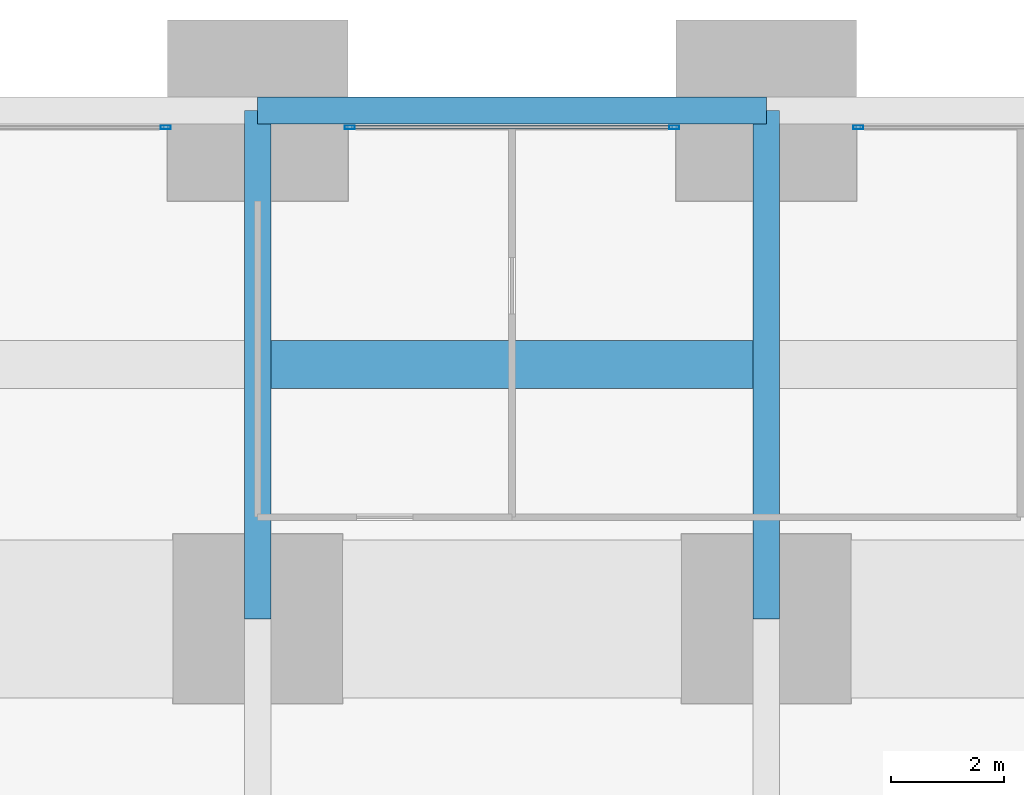
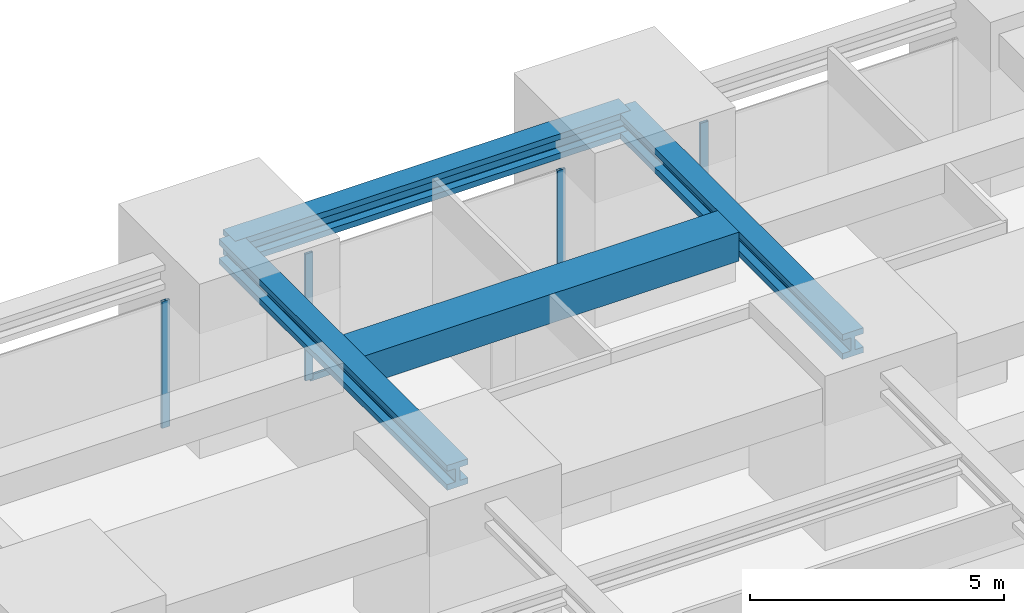
# One storey, part 34 of 42: 5 members, 4 beams, 3 elements without a shape of their own.
"""IFC4 building model written with IfcOpenShell, lengths in metres."""

from ifc_helpers import new_model, si_unit, direction, frame, origin, origin_2d, place, context, subcontext, project, spatial, rectangle, hollow_rectangle, i_section, extrude, material, material_profile, profile_set, type_object, element, aggregate, save


model = new_model("IFC4")

# Units and contexts
model_context = context("Model", 3, precision=1e-05, world=origin(), true_north=direction((0.0, 1.0)))
body_context = subcontext(model_context, "Body", "Model", "MODEL_VIEW")
ifc_project = project(units=[si_unit("LENGTHUNIT", "METRE"), si_unit("AREAUNIT", "SQUARE_METRE"), si_unit("VOLUMEUNIT", "CUBIC_METRE"), si_unit("PLANEANGLEUNIT", "RADIAN"), si_unit("MASSUNIT", "GRAM", prefix="KILO")], contexts=[model_context])

# Site, building, storey
site_placement = place(None, origin())
site = spatial("IfcSite", under=ifc_project, at=site_placement, CompositionType="ELEMENT")
building_placement = place(site_placement, origin())
building = spatial("IfcBuilding", under=site, at=building_placement, Name="Zorevar Civic Tower", CompositionType="ELEMENT")
storey_placement = place(building_placement, frame((0.0, 0.0, 75.800048828125)))
storey = spatial("IfcBuildingStorey", under=building, at=storey_placement, Name="L18", CompositionType="ELEMENT", Elevation=75.800048828125)

# Beams
ifc_material_1 = material(Name="Concrete C50/60", Category="concrete")
ifc_material_profile_1 = material_profile(ifc_material_1, rectangle(XDim=0.85009765625, YDim=0.699951171875, at=origin_2d()), Name="RC 850x700")
ifc_profile_set_1 = profile_set([ifc_material_profile_1], Name="Concrete C50/60")
beam_type_1 = type_object("IfcBeamType", Name="Beam RC 850x700", PredefinedType="BEAM", material=ifc_profile_set_1)
beam_1_placement = place(storey_placement, frame((36.238037109375, 49.5, 3.5), z_axis=(1.0, 0.0, 0.0), x_axis=(0.0, 1.0, 0.0)))
element("IfcBeam", 1, at=beam_1_placement, inside=storey, type_object=beam_type_1, Name="Secondary beam L19", PredefinedType="BEAM", context=body_context, shape_type="SweptSolid", body=[
    extrude(rectangle(XDim=0.85009765625, YDim=0.699951171875, at=origin_2d()), origin(), (0.0, 0.0, 1.0), 8.52392578125),
])
ifc_material_2 = material(Name="Steel S460M (HISTAR 460)", Category="steel")
ifc_material_profile_2 = material_profile(ifc_material_2, i_section(OverallWidth=0.47607421875, OverallDepth=0.60009765625, WebThickness=0.10009765625, FlangeThickness=0.139892578125, FilletRadius=0.014892578125, at=origin_2d()), Name="HD 400x1299")
ifc_profile_set_2 = profile_set([ifc_material_profile_2], Name="Steel S460M (HISTAR 460)")
beam_type_2 = type_object("IfcBeamType", Name="Belt chord HD 400x1299", PredefinedType="BEAM", material=ifc_profile_set_2)
beam_2_placement = place(storey_placement, frame((36.0, 54.0, 3.550048828125), z_axis=(1.0, 0.0, 0.0), x_axis=(0.0, 1.0, 0.0)))
element("IfcBeam", 2, at=beam_2_placement, inside=storey, type_object=beam_type_2, Name="Belt chord L19", PredefinedType="BEAM", context=body_context, shape_type="SweptSolid", body=[
    extrude(i_section(OverallWidth=0.47607421875, OverallDepth=0.60009765625, WebThickness=0.10009765625, FlangeThickness=0.139892578125, FilletRadius=0.014892578125, at=origin_2d()), origin(), (0.0, 0.0, 1.0), 9.0),
])

# Curtain wall, member
ifc_material_3 = material(Name="Dark grey solar-control glass in black aluminium frame", Category="aluminium")
curtain_wall_type = type_object("IfcCurtainWallType", Name="Curtain wall CW2 low zone", PredefinedType="NOTDEFINED", material=ifc_material_3)
curtain_wall_1_placement = place(storey_placement, origin())
curtain_wall_1 = element("IfcCurtainWall", 3, at=curtain_wall_1_placement, inside=storey, type_object=curtain_wall_type, Name="CW2 L18", PredefinedType="NOTDEFINED")
ifc_material_4 = material(Name="Aluminium, black anodised", Category="aluminium")
ifc_material_profile_3 = material_profile(ifc_material_4, hollow_rectangle(XDim=0.06005859375, YDim=0.179931640625, WallThickness=0.00390625, at=origin_2d()), Name="AL 180x60x4")
ifc_profile_set_3 = profile_set([ifc_material_profile_3], Name="Aluminium, black anodised")
member_type_1 = type_object("IfcMemberType", Name="CW2 mullion AL 180x60x4", PredefinedType="MULLION", material=ifc_profile_set_3)
member_1_placement = place(storey_placement, frame((34.3701171875, 53.699951171875, 0.0), z_axis=(0.0, 0.0, 1.0), x_axis=(0.0, 1.0, 0.0)))
member_1 = element("IfcMember", 4, at=member_1_placement, type_object=member_type_1, Name="CW2 mullion 2", PredefinedType="MULLION", context=body_context, shape_type="SweptSolid", body=[
    extrude(hollow_rectangle(XDim=0.06005859375, YDim=0.179931640625, WallThickness=0.00390625, at=origin_2d()), origin(), (0.0, 0.0, 1.0), 3.050048828125),
])
aggregate(curtain_wall_1, [member_1])

# Curtain wall, members
curtain_wall_2_placement = place(storey_placement, origin())
curtain_wall_2 = element("IfcCurtainWall", 5, at=curtain_wall_2_placement, inside=storey, type_object=curtain_wall_type, Name="CW2 L18", PredefinedType="NOTDEFINED")
member_2_placement = place(storey_placement, frame((37.6298828125, 53.699951171875, 0.0), z_axis=(0.0, 0.0, 1.0), x_axis=(0.0, 1.0, 0.0)))
member_2 = element("IfcMember", 6, at=member_2_placement, type_object=member_type_1, Name="CW2 mullion 1", PredefinedType="MULLION", context=body_context, shape_type="SweptSolid", body=[
    extrude(hollow_rectangle(XDim=0.06005859375, YDim=0.179931640625, WallThickness=0.00390625, at=origin_2d()), origin(), (0.0, 0.0, 1.0), 3.050048828125),
])
member_3_placement = place(storey_placement, frame((43.3701171875, 53.699951171875, 0.0), z_axis=(0.0, 0.0, 1.0), x_axis=(0.0, 1.0, 0.0)))
member_3 = element("IfcMember", 7, at=member_3_placement, type_object=member_type_1, Name="CW2 mullion 2", PredefinedType="MULLION", context=body_context, shape_type="SweptSolid", body=[
    extrude(hollow_rectangle(XDim=0.06005859375, YDim=0.179931640625, WallThickness=0.00390625, at=origin_2d()), origin(), (0.0, 0.0, 1.0), 3.050048828125),
])

# Curtain wall, member
curtain_wall_3_placement = place(storey_placement, origin())
curtain_wall_3 = element("IfcCurtainWall", 8, at=curtain_wall_3_placement, inside=storey, type_object=curtain_wall_type, Name="CW2 L18", PredefinedType="NOTDEFINED")
member_4_placement = place(storey_placement, frame((46.6298828125, 53.699951171875, 0.0), z_axis=(0.0, 0.0, 1.0), x_axis=(0.0, 1.0, 0.0)))
member_4 = element("IfcMember", 9, at=member_4_placement, type_object=member_type_1, Name="CW2 mullion 1", PredefinedType="MULLION", context=body_context, shape_type="SweptSolid", body=[
    extrude(hollow_rectangle(XDim=0.06005859375, YDim=0.179931640625, WallThickness=0.00390625, at=origin_2d()), origin(), (0.0, 0.0, 1.0), 3.050048828125),
])
aggregate(curtain_wall_3, [member_4])

# Member
ifc_material_5 = material(Name="Aluminium, black anodised", Category="aluminium")
ifc_material_profile_4 = material_profile(ifc_material_5, hollow_rectangle(XDim=0.06005859375, YDim=0.14990234375, WallThickness=0.00390625, at=origin_2d()), Name="AL 150x60x4")
ifc_profile_set_4 = profile_set([ifc_material_profile_4], Name="Aluminium, black anodised")
member_type_2 = type_object("IfcMemberType", Name="CW2 transom AL 150x60x4", PredefinedType="USERDEFINED", material=ifc_profile_set_4)
member_5_placement = place(storey_placement, frame((37.659912109375, 53.699951171875, 0.030029296875), z_axis=(1.0, 0.0, 0.0), x_axis=(0.0, 1.0, 0.0)))
member_5 = element("IfcMember", 10, at=member_5_placement, type_object=member_type_2, Name="CW2 sill transom", ObjectType="TRANSOM", PredefinedType="USERDEFINED", context=body_context, shape_type="SweptSolid", body=[
    extrude(hollow_rectangle(XDim=0.06005859375, YDim=0.14990234375, WallThickness=0.00390625, at=origin_2d()), origin(), (0.0, 0.0, 1.0), 5.68017578125),
])

aggregate(curtain_wall_2, [member_2, member_3, member_5])

# Beams
ifc_material_6 = material(Name="Steel S460M (HISTAR 460)", Category="steel")
ifc_material_profile_5 = material_profile(ifc_material_6, i_section(OverallWidth=0.47607421875, OverallDepth=0.60009765625, WebThickness=0.10009765625, FlangeThickness=0.139892578125, FilletRadius=0.014892578125, at=origin_2d()), Name="HD 400x1299")
ifc_profile_set_5 = profile_set([ifc_material_profile_5], Name="Steel S460M (HISTAR 460)")
beam_type_3 = type_object("IfcBeamType", Name="Outrigger chord HD 400x1299", PredefinedType="BEAM", material=ifc_profile_set_5)
for number, where, z_axis, x_axis, name in (
    (11, (36.0, 45.0, 3.550048828125), (0.0, 1.0, 0.0), (-1.0, 0.0, 0.0), "Outrigger chord L19"),
    (12, (45.0, 45.0, 3.550048828125), (0.0, 1.0, 0.0), (-1.0, 0.0, 0.0), "Outrigger chord L19"),
):
    element("IfcBeam", number, at=place(storey_placement, frame(where, z_axis=z_axis, x_axis=x_axis)), inside=storey, type_object=beam_type_3, Name=name, PredefinedType="BEAM", context=body_context, shape_type="SweptSolid", body=[
        extrude(i_section(OverallWidth=0.47607421875, OverallDepth=0.60009765625, WebThickness=0.10009765625, FlangeThickness=0.139892578125, FilletRadius=0.014892578125, at=origin_2d()), origin(), (0.0, 0.0, 1.0), 9.0),
    ])

save(model, "model.ifc")
